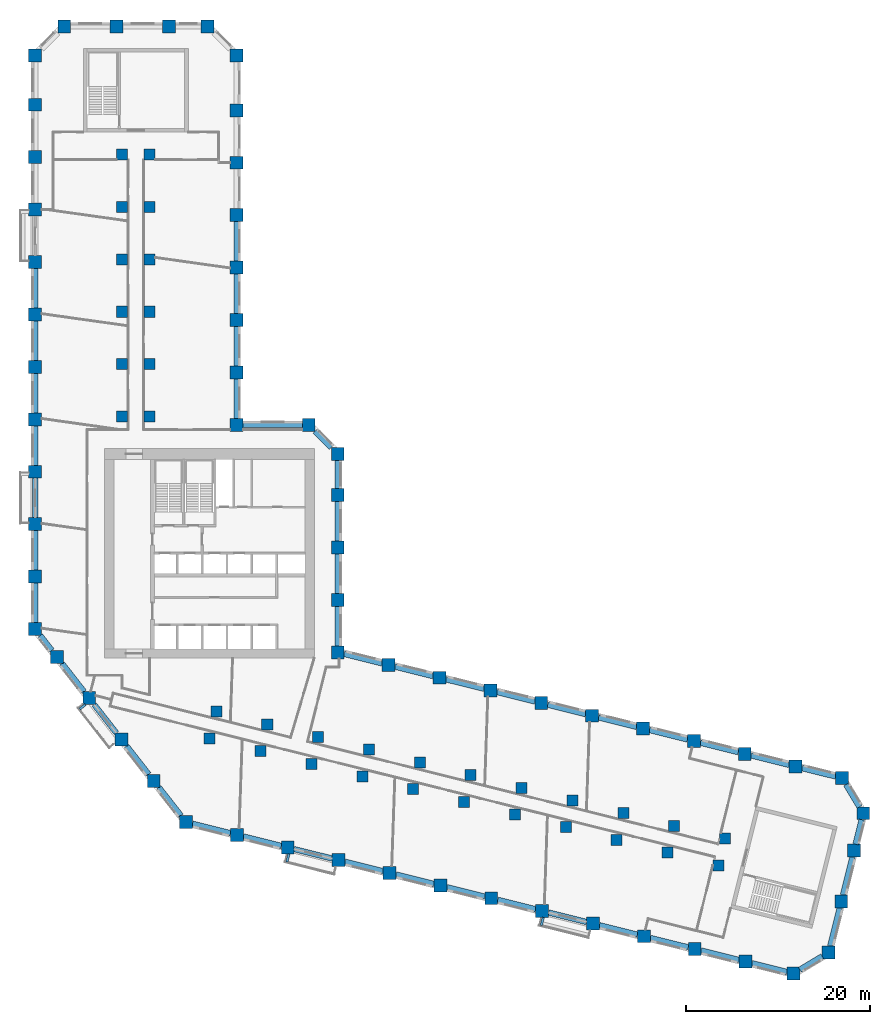
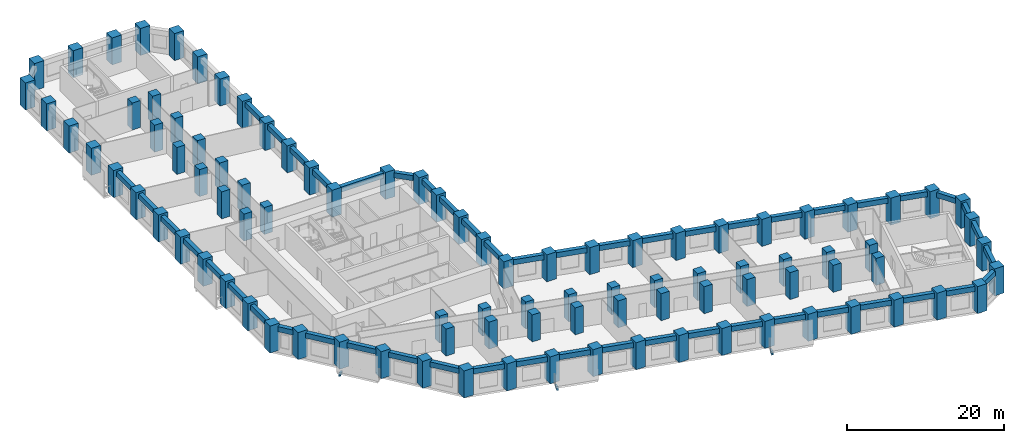
# One storey, part 1 of 11: 95 columns, 52 beams.
"""IFC4 building model written with IfcOpenShell, lengths in metres."""

from ifc_helpers import new_model, si_unit, direction, frame, origin, origin_2d, place, context, subcontext, project, spatial, rectangle, extrude, material, material_profile, profile_set, type_object, element, save


model = new_model("IFC4")

# Units and contexts
model_context = context("Model", 3, precision=1e-05, world=origin(), true_north=direction((0.0, 1.0)))
body_context = subcontext(model_context, "Body", "Model", "MODEL_VIEW")
ifc_project = project(units=[si_unit("LENGTHUNIT", "METRE"), si_unit("AREAUNIT", "SQUARE_METRE"), si_unit("VOLUMEUNIT", "CUBIC_METRE"), si_unit("PLANEANGLEUNIT", "RADIAN"), si_unit("MASSUNIT", "GRAM", prefix="KILO")], contexts=[model_context])

# Site, building, storey
site_placement = place(None, origin())
site = spatial("IfcSite", under=ifc_project, at=site_placement, CompositionType="ELEMENT")
building_placement = place(site_placement, origin())
building = spatial("IfcBuilding", under=site, at=building_placement, Name="Meshkara Civic Tower", CompositionType="ELEMENT")
storey_placement = place(building_placement, frame((0.0, 0.0, 70.800048828125)))
storey = spatial("IfcBuildingStorey", under=building, at=storey_placement, Name="L15", CompositionType="ELEMENT", Elevation=70.800048828125)

# Columns
ifc_material_1 = material(Name="Concrete C80", Category="concrete")
ifc_material_profile_1 = material_profile(ifc_material_1, rectangle(XDim=1.199951171875, YDim=1.199951171875, at=origin_2d()))
ifc_profile_set_1 = profile_set([ifc_material_profile_1], Name="Concrete C80")
column_type_1 = type_object("IfcColumnType", Name="Interior column RC 1200x1200 C80", PredefinedType="COLUMN", material=ifc_profile_set_1)
for number, where, z_axis, x_axis, name in (
    (1, (9.89990234375, 40.35009765625, 0.0), (0.0, 0.0, 1.0), (1.0, 0.0, 0.0), "Column SA1-04 L15"),
    (2, (9.89990234375, 46.050048828125, 0.0), (0.0, 0.0, 1.0), (1.0, 0.0, 0.0), "Column SA1-05 L15"),
    (3, (9.89990234375, 51.75, 0.0), (0.0, 0.0, 1.0), (1.0, 0.0, 0.0), "Column SA1-06 L15"),
    (4, (9.89990234375, 57.449951171875, 0.0), (0.0, 0.0, 1.0), (1.0, 0.0, 0.0), "Column SA1-07 L15"),
    (5, (9.89990234375, 63.14990234375, 0.0), (0.0, 0.0, 1.0), (1.0, 0.0, 0.0), "Column SA1-08 L15"),
    (6, (9.89990234375, 68.85009765625, 0.0), (0.0, 0.0, 1.0), (1.0, 0.0, 0.0), "Column SA1-09 L15"),
    (7, (12.89990234375, 40.35009765625, 0.0), (0.0, 0.0, 1.0), (1.0, 0.0, 0.0), "Column SA2-04 L15"),
    (8, (12.89990234375, 46.050048828125, 0.0), (0.0, 0.0, 1.0), (1.0, 0.0, 0.0), "Column SA2-05 L15"),
    (9, (12.89990234375, 51.75, 0.0), (0.0, 0.0, 1.0), (1.0, 0.0, 0.0), "Column SA2-06 L15"),
    (10, (12.89990234375, 57.449951171875, 0.0), (0.0, 0.0, 1.0), (1.0, 0.0, 0.0), "Column SA2-07 L15"),
    (11, (12.89990234375, 63.14990234375, 0.0), (0.0, 0.0, 1.0), (1.0, 0.0, 0.0), "Column SA2-08 L15"),
    (12, (12.89990234375, 68.85009765625, 0.0), (0.0, 0.0, 1.0), (1.0, 0.0, 0.0), "Column SA2-09 L15"),
    (13, (19.424072265625, 5.360107421875, 0.0), (0.0, 0.0, 1.0), (1.0, 0.0, 0.0), "Column SB1-00 L15"),
    (14, (24.9541015625, 3.98095703125, 0.0), (0.0, 0.0, 1.0), (1.0, 0.0, 0.0), "Column SB1-01 L15"),
    (15, (30.485107421875, 2.60205078125, 0.0), (0.0, 0.0, 1.0), (1.0, 0.0, 0.0), "Column SB1-02 L15"),
    (16, (36.01611328125, 1.222900390625, 0.0), (0.0, 0.0, 1.0), (1.0, 0.0, 0.0), "Column SB1-03 L15"),
    (17, (41.5458984375, -0.156005859375, 0.0), (0.0, 0.0, 1.0), (1.0, 0.0, 0.0), "Column SB1-04 L15"),
    (18, (47.076904296875, -1.534912109375, 0.0), (0.0, 0.0, 1.0), (1.0, 0.0, 0.0), "Column SB1-05 L15"),
    (19, (52.60791015625, -2.9140625, 0.0), (0.0, 0.0, 1.0), (1.0, 0.0, 0.0), "Column SB1-06 L15"),
    (20, (58.138916015625, -4.2919921875, 0.0), (0.0, 0.0, 1.0), (1.0, 0.0, 0.0), "Column SB1-07 L15"),
    (21, (63.6689453125, -5.6708984375, 0.0), (0.0, 0.0, 1.0), (1.0, 0.0, 0.0), "Column SB1-08 L15"),
    (22, (69.199951171875, -7.050048828125, 0.0), (0.0, 0.0, 1.0), (1.0, 0.0, 0.0), "Column SB1-09 L15"),
    (23, (74.73095703125, -8.428955078125, 0.0), (0.0, 0.0, 1.0), (1.0, 0.0, 0.0), "Column SB1-10 L15"),
    (24, (20.14892578125, 8.27099609375, 0.0), (0.0, 0.0, 1.0), (1.0, 0.0, 0.0), "Column SB2-00 L15"),
    (25, (25.679931640625, 6.89208984375, 0.0), (0.0, 0.0, 1.0), (1.0, 0.0, 0.0), "Column SB2-01 L15"),
    (26, (31.2109375, 5.512939453125, 0.0), (0.0, 0.0, 1.0), (1.0, 0.0, 0.0), "Column SB2-02 L15"),
    (27, (36.741943359375, 4.134033203125, 0.0), (0.0, 0.0, 1.0), (1.0, 0.0, 0.0), "Column SB2-03 L15"),
    (28, (42.27197265625, 2.7548828125, 0.0), (0.0, 0.0, 1.0), (1.0, 0.0, 0.0), "Column SB2-04 L15"),
    (29, (47.802978515625, 1.3759765625, 0.0), (0.0, 0.0, 1.0), (1.0, 0.0, 0.0), "Column SB2-05 L15"),
    (30, (53.333984375, -0.0029296875, 0.0), (0.0, 0.0, 1.0), (1.0, 0.0, 0.0), "Column SB2-06 L15"),
    (31, (58.864013671875, -1.382080078125, 0.0), (0.0, 0.0, 1.0), (1.0, 0.0, 0.0), "Column SB2-07 L15"),
    (32, (64.39501953125, -2.760986328125, 0.0), (0.0, 0.0, 1.0), (1.0, 0.0, 0.0), "Column SB2-08 L15"),
    (33, (69.926025390625, -4.139892578125, 0.0), (0.0, 0.0, 1.0), (1.0, 0.0, 0.0), "Column SB2-09 L15"),
    (34, (75.4560546875, -5.51806640625, 0.0), (0.0, 0.0, 1.0), (1.0, 0.0, 0.0), "Column SB2-10 L15"),
):
    element("IfcColumn", number, at=place(storey_placement, frame(where, z_axis=z_axis, x_axis=x_axis)), inside=storey, type_object=column_type_1, Name=name, PredefinedType="COLUMN", context=body_context, shape_type="SweptSolid", body=[
        extrude(rectangle(XDim=1.199951171875, YDim=1.199951171875, at=origin_2d()), origin(), (0.0, 0.0, 1.0), 4.199951171875),
    ])
ifc_material_2 = material(Name="Concrete C80", Category="concrete")
ifc_material_profile_2 = material_profile(ifc_material_2, rectangle(XDim=1.39990234375, YDim=1.39990234375, at=origin_2d()))
ifc_profile_set_2 = profile_set([ifc_material_profile_2], Name="Concrete C80")
column_type_2 = type_object("IfcColumnType", Name="Perimeter column RC 1400x1400 C80", PredefinedType="COLUMN", material=ifc_profile_set_2)
for number, where, z_axis, x_axis, name in (
    (35, (33.35009765625, 14.718994140625, 0.0), (0.0, 0.0, 1.0), (1.0, 0.0, 0.0), "Column HE00 L15"),
    (36, (33.35009765625, 20.4189453125, 0.0), (0.0, 0.0, 1.0), (1.0, 0.0, 0.0), "Column HE01 L15"),
    (37, (33.35009765625, 26.118896484375, 0.0), (0.0, 0.0, 1.0), (1.0, 0.0, 0.0), "Column HE02 L15"),
    (38, (33.35009765625, 31.819091796875, 0.0), (0.0, 0.0, 1.0), (1.0, 0.0, 0.0), "Column HE03 L15"),
    (39, (33.35009765625, 36.2939453125, 0.0), (0.0, 0.0, 1.0), (1.0, 0.0, 0.0), "Column HEE L15"),
    (40, (30.194091796875, 39.449951171875, 0.0), (0.0, 0.0, 1.0), (1.0, 0.0, 0.0), "Column HCeE L15"),
    (41, (22.35009765625, 39.449951171875, 0.0), (0.0, 0.0, 1.0), (1.0, 0.0, 0.0), "Column HN00 L15"),
    (42, (22.35009765625, 45.14990234375, 0.0), (0.0, 0.0, 1.0), (1.0, 0.0, 0.0), "Column AE01 L15"),
    (43, (22.35009765625, 50.85009765625, 0.0), (0.0, 0.0, 1.0), (1.0, 0.0, 0.0), "Column AE02 L15"),
    (44, (22.35009765625, 56.550048828125, 0.0), (0.0, 0.0, 1.0), (1.0, 0.0, 0.0), "Column AE03 L15"),
    (45, (22.35009765625, 62.25, 0.0), (0.0, 0.0, 1.0), (1.0, 0.0, 0.0), "Column AE04 L15"),
    (46, (22.35009765625, 67.949951171875, 0.0), (0.0, 0.0, 1.0), (1.0, 0.0, 0.0), "Column AE05 L15"),
    (47, (22.35009765625, 73.64990234375, 0.0), (0.0, 0.0, 1.0), (1.0, 0.0, 0.0), "Column AE06 L15"),
    (48, (22.35009765625, 79.614013671875, 0.0), (0.0, 0.0, 1.0), (1.0, 0.0, 0.0), "Column AEE L15"),
    (49, (19.194091796875, 82.77001953125, 0.0), (0.0, 0.0, 1.0), (1.0, 0.0, 0.0), "Column ATiE L15"),
    (50, (3.60595703125, 82.77001953125, 0.0), (0.0, 0.0, 1.0), (1.0, 0.0, 0.0), "Column AT00 L15"),
    (51, (9.305908203125, 82.77001953125, 0.0), (0.0, 0.0, 1.0), (1.0, 0.0, 0.0), "Column AT01 L15"),
    (52, (15.006103515625, 82.77001953125, 0.0), (0.0, 0.0, 1.0), (1.0, 0.0, 0.0), "Column AT02 L15"),
    (53, (0.449951171875, 79.614013671875, 0.0), (0.0, 0.0, 1.0), (1.0, 0.0, 0.0), "Column ATo00 L15"),
    (54, (0.449951171875, 17.2548828125, 0.0), (0.0, 0.0, 1.0), (1.0, 0.0, 0.0), "Column AW00 L15"),
    (55, (0.449951171875, 22.955078125, 0.0), (0.0, 0.0, 1.0), (1.0, 0.0, 0.0), "Column AW01 L15"),
    (56, (0.449951171875, 28.655029296875, 0.0), (0.0, 0.0, 1.0), (1.0, 0.0, 0.0), "Column AW02 L15"),
    (57, (0.449951171875, 34.35498046875, 0.0), (0.0, 0.0, 1.0), (1.0, 0.0, 0.0), "Column AW03 L15"),
    (58, (0.449951171875, 40.054931640625, 0.0), (0.0, 0.0, 1.0), (1.0, 0.0, 0.0), "Column AW04 L15"),
    (59, (0.449951171875, 45.7548828125, 0.0), (0.0, 0.0, 1.0), (1.0, 0.0, 0.0), "Column AW05 L15"),
    (60, (0.449951171875, 51.455078125, 0.0), (0.0, 0.0, 1.0), (1.0, 0.0, 0.0), "Column AW06 L15"),
    (61, (0.449951171875, 57.155029296875, 0.0), (0.0, 0.0, 1.0), (1.0, 0.0, 0.0), "Column AW07 L15"),
    (62, (0.449951171875, 62.85498046875, 0.0), (0.0, 0.0, 1.0), (1.0, 0.0, 0.0), "Column AW08 L15"),
    (63, (0.449951171875, 68.554931640625, 0.0), (0.0, 0.0, 1.0), (1.0, 0.0, 0.0), "Column AW09 L15"),
    (64, (0.449951171875, 74.2548828125, 0.0), (0.0, 0.0, 1.0), (1.0, 0.0, 0.0), "Column AW10 L15"),
    (65, (16.85107421875, -3.738037109375, 0.0), (0.0, 0.0, 1.0), (1.0, 0.0, 0.0), "Column BOW00 L15"),
    (66, (13.342041015625, 0.75390625, 0.0), (0.0, 0.0, 1.0), (1.0, 0.0, 0.0), "Column BOW01 L15"),
    (67, (9.8330078125, 5.2451171875, 0.0), (0.0, 0.0, 1.0), (1.0, 0.0, 0.0), "Column BOW02 L15"),
    (68, (6.322998046875, 9.737060546875, 0.0), (0.0, 0.0, 1.0), (1.0, 0.0, 0.0), "Column BOW03 L15"),
    (69, (2.81396484375, 14.22900390625, 0.0), (0.0, 0.0, 1.0), (1.0, 0.0, 0.0), "Column BOW04 L15"),
    (70, (22.382080078125, -5.116943359375, 0.0), (0.0, 0.0, 1.0), (1.0, 0.0, 0.0), "Column BS01 L15"),
    (71, (27.912109375, -6.49609375, 0.0), (0.0, 0.0, 1.0), (1.0, 0.0, 0.0), "Column BS02 L15"),
    (72, (33.443115234375, -7.875, 0.0), (0.0, 0.0, 1.0), (1.0, 0.0, 0.0), "Column BS03 L15"),
    (73, (38.97412109375, -9.25390625, 0.0), (0.0, 0.0, 1.0), (1.0, 0.0, 0.0), "Column BS04 L15"),
    (74, (44.5048828125, -10.632080078125, 0.0), (0.0, 0.0, 1.0), (1.0, 0.0, 0.0), "Column BS05 L15"),
    (75, (50.034912109375, -12.010986328125, 0.0), (0.0, 0.0, 1.0), (1.0, 0.0, 0.0), "Column BS06 L15"),
    (76, (55.56591796875, -13.389892578125, 0.0), (0.0, 0.0, 1.0), (1.0, 0.0, 0.0), "Column BS07 L15"),
    (77, (61.096923828125, -14.76904296875, 0.0), (0.0, 0.0, 1.0), (1.0, 0.0, 0.0), "Column BS08 L15"),
    (78, (66.626953125, -16.14794921875, 0.0), (0.0, 0.0, 1.0), (1.0, 0.0, 0.0), "Column BS09 L15"),
    (79, (72.157958984375, -17.527099609375, 0.0), (0.0, 0.0, 1.0), (1.0, 0.0, 0.0), "Column BS10 L15"),
    (80, (77.68896484375, -18.906005859375, 0.0), (0.0, 0.0, 1.0), (1.0, 0.0, 0.0), "Column BS11 L15"),
    (81, (82.887939453125, -20.201904296875, 0.0), (0.0, 0.0, 1.0), (1.0, 0.0, 0.0), "Column BSE L15"),
    (82, (86.714111328125, -17.903076171875, 0.0), (0.0, 0.0, 1.0), (1.0, 0.0, 0.0), "Column BToE L15"),
    (83, (88.093017578125, -12.3720703125, 0.0), (0.0, 0.0, 1.0), (1.0, 0.0, 0.0), "Column BT01 L15"),
    (84, (89.471923828125, -6.842041015625, 0.0), (0.0, 0.0, 1.0), (1.0, 0.0, 0.0), "Column BT02 L15"),
    (85, (90.485107421875, -2.779052734375, 0.0), (0.0, 0.0, 1.0), (1.0, 0.0, 0.0), "Column BTE L15"),
    (86, (88.18603515625, 1.0458984375, 0.0), (0.0, 0.0, 1.0), (1.0, 0.0, 0.0), "Column BTi00 L15"),
    (87, (38.881103515625, 13.340087890625, 0.0), (0.0, 0.0, 1.0), (1.0, 0.0, 0.0), "Column BN01 L15"),
    (88, (44.410888671875, 11.9609375, 0.0), (0.0, 0.0, 1.0), (1.0, 0.0, 0.0), "Column BN02 L15"),
    (89, (49.94189453125, 10.58203125, 0.0), (0.0, 0.0, 1.0), (1.0, 0.0, 0.0), "Column BN03 L15"),
    (90, (55.472900390625, 9.202880859375, 0.0), (0.0, 0.0, 1.0), (1.0, 0.0, 0.0), "Column BN04 L15"),
    (91, (61.0029296875, 7.823974609375, 0.0), (0.0, 0.0, 1.0), (1.0, 0.0, 0.0), "Column BN05 L15"),
    (92, (66.533935546875, 6.445068359375, 0.0), (0.0, 0.0, 1.0), (1.0, 0.0, 0.0), "Column BN06 L15"),
    (93, (72.06494140625, 5.06591796875, 0.0), (0.0, 0.0, 1.0), (1.0, 0.0, 0.0), "Column BN07 L15"),
    (94, (77.594970703125, 3.68701171875, 0.0), (0.0, 0.0, 1.0), (1.0, 0.0, 0.0), "Column BN08 L15"),
    (95, (83.1259765625, 2.30810546875, 0.0), (0.0, 0.0, 1.0), (1.0, 0.0, 0.0), "Column BN09 L15"),
):
    element("IfcColumn", number, at=place(storey_placement, frame(where, z_axis=z_axis, x_axis=x_axis)), inside=storey, type_object=column_type_2, Name=name, PredefinedType="COLUMN", context=body_context, shape_type="SweptSolid", body=[
        extrude(rectangle(XDim=1.39990234375, YDim=1.39990234375, at=origin_2d()), origin(), (0.0, 0.0, 1.0), 4.199951171875),
    ])

# Beams
ifc_material_3 = material(Name="Concrete C50", Category="concrete")
ifc_material_profile_3 = material_profile(ifc_material_3, rectangle(XDim=0.25, YDim=0.39990234375, at=origin_2d()))
ifc_profile_set_3 = profile_set([ifc_material_profile_3], Name="Concrete C50")
beam_type_1 = type_object("IfcBeamType", Name="Balcony bracket beam RC 250x400 C50", PredefinedType="BEAM", material=ifc_profile_set_3)
beam_1_placement = place(storey_placement, frame((5.91796875, 9.0400390625, -0.5), z_axis=(-0.787987386411, -0.615691382803, 0.0), x_axis=(0.615691382803, -0.787987386411, 0.0)))
element("IfcBeam", 96, at=beam_1_placement, inside=storey, type_object=beam_type_1, Name="Balcony bracket beam", PredefinedType="BEAM", context=body_context, shape_type="SweptSolid", body=[
    extrude(rectangle(XDim=0.25, YDim=0.39990234375, at=origin_2d()), origin(), (0.0, 0.0, 1.0), 0.800537109375),
])
beam_2_placement = place(storey_placement, frame((28.048095703125, -7.19091796875, -0.5), z_axis=(-0.242472373608, -0.970158310812, 0.0), x_axis=(0.970158310812, -0.242472373608, 0.0)))
element("IfcBeam", 97, at=beam_2_placement, inside=storey, type_object=beam_type_1, Name="Balcony bracket beam", PredefinedType="BEAM", context=body_context, shape_type="SweptSolid", body=[
    extrude(rectangle(XDim=0.25, YDim=0.39990234375, at=origin_2d()), origin(), (0.0, 0.0, 1.0), 0.908203125),
])
beam_3_placement = place(storey_placement, frame((55.701904296875, -14.0849609375, -0.5), z_axis=(-0.241966881417, -0.970284508944, 0.0), x_axis=(0.970284508944, -0.241966881417, 0.0)))
element("IfcBeam", 98, at=beam_3_placement, inside=storey, type_object=beam_type_1, Name="Balcony bracket beam", PredefinedType="BEAM", context=body_context, shape_type="SweptSolid", body=[
    extrude(rectangle(XDim=0.25, YDim=0.39990234375, at=origin_2d()), origin(), (0.0, 0.0, 1.0), 0.9091796875),
])
ifc_material_4 = material(Name="Concrete C70", Category="concrete")
ifc_material_profile_4 = material_profile(ifc_material_4, rectangle(XDim=0.60009765625, YDim=0.800048828125, at=origin_2d()))
ifc_profile_set_4 = profile_set([ifc_material_profile_4], Name="Concrete C70")
beam_type_2 = type_object("IfcBeamType", Name="Spandrel beam RC 600x800 C70", PredefinedType="BEAM", material=ifc_profile_set_4)
beam_4_placement = place(storey_placement, frame((82.430908203125, 2.481201171875, 3.5), z_axis=(-0.97029374225, 0.241929852955, 0.0), x_axis=(-0.241929852955, -0.97029374225, 0.0)))
element("IfcBeam", 99, at=beam_4_placement, inside=storey, type_object=beam_type_2, Name="Spandrel beam BN08-BN09", PredefinedType="BEAM", context=body_context, shape_type="SweptSolid", body=[
    extrude(rectangle(XDim=0.60009765625, YDim=0.800048828125, at=origin_2d()), origin(), (0.0, 0.0, 1.0), 4.267578125),
])
beam_5_placement = place(storey_placement, frame((76.89990234375, 3.8603515625, 3.5), z_axis=(-0.970293777887, 0.241929710026, 0.0), x_axis=(-0.241929710026, -0.970293777887, 0.0)))
element("IfcBeam", 100, at=beam_5_placement, inside=storey, type_object=beam_type_2, Name="Spandrel beam BN07-BN08", PredefinedType="BEAM", context=body_context, shape_type="SweptSolid", body=[
    extrude(rectangle(XDim=0.60009765625, YDim=0.800048828125, at=origin_2d()), origin(), (0.0, 0.0, 1.0), 4.2666015625),
])
for number, where, z_axis, x_axis, name in (
    (101, (71.369873046875, 5.2392578125, 3.5), (-0.97029374225, 0.241929852955, 0.0), (-0.241929852955, -0.97029374225, 0.0), "Spandrel beam BN06-BN07"),
    (102, (65.8388671875, 6.618408203125, 3.5), (-0.970307169965, 0.241875992843, 0.0), (-0.241875992843, -0.970307169965, 0.0), "Spandrel beam BN05-BN06"),
):
    element("IfcBeam", number, at=place(storey_placement, frame(where, z_axis=z_axis, x_axis=x_axis)), inside=storey, type_object=beam_type_2, Name=name, PredefinedType="BEAM", context=body_context, shape_type="SweptSolid", body=[
        extrude(rectangle(XDim=0.60009765625, YDim=0.800048828125, at=origin_2d()), origin(), (0.0, 0.0, 1.0), 4.267578125),
    ])
beam_6_placement = place(storey_placement, frame((60.307861328125, 7.997314453125, 3.5), z_axis=(-0.970276993533, 0.241997016139, 0.0), x_axis=(-0.241997016139, -0.970276993533, 0.0)))
element("IfcBeam", 103, at=beam_6_placement, inside=storey, type_object=beam_type_2, Name="Spandrel beam BN04-BN05", PredefinedType="BEAM", context=body_context, shape_type="SweptSolid", body=[
    extrude(rectangle(XDim=0.60009765625, YDim=0.800048828125, at=origin_2d()), origin(), (0.0, 0.0, 1.0), 4.266357421875),
])
for number, where, z_axis, x_axis, name in (
    (104, (54.77783203125, 9.376220703125, 3.5), (-0.970290393622, 0.241943282702, 0.0), (-0.241943282702, -0.970290393622, 0.0), "Spandrel beam BN03-BN04"),
    (105, (49.246826171875, 10.75537109375, 3.5), (-0.970303822782, 0.241889419972, 0.0), (-0.241889419972, -0.970303822782, 0.0), "Spandrel beam BN02-BN03"),
):
    element("IfcBeam", number, at=place(storey_placement, frame(where, z_axis=z_axis, x_axis=x_axis)), inside=storey, type_object=beam_type_2, Name=name, PredefinedType="BEAM", context=body_context, shape_type="SweptSolid", body=[
        extrude(rectangle(XDim=0.60009765625, YDim=0.800048828125, at=origin_2d()), origin(), (0.0, 0.0, 1.0), 4.267333984375),
    ])
beam_7_placement = place(storey_placement, frame((43.7158203125, 12.13427734375, 3.5), z_axis=(-0.970276993533, 0.241997016139, 0.0), x_axis=(-0.241997016139, -0.970276993533, 0.0)))
element("IfcBeam", 106, at=beam_7_placement, inside=storey, type_object=beam_type_2, Name="Spandrel beam BN01-BN02", PredefinedType="BEAM", context=body_context, shape_type="SweptSolid", body=[
    extrude(rectangle(XDim=0.60009765625, YDim=0.800048828125, at=origin_2d()), origin(), (0.0, 0.0, 1.0), 4.266357421875),
])
beam_8_placement = place(storey_placement, frame((38.185791015625, 13.51318359375, 3.5), z_axis=(-0.970290393622, 0.241943282702, 0.0), x_axis=(-0.241943282702, -0.970290393622, 0.0)))
element("IfcBeam", 107, at=beam_8_placement, inside=storey, type_object=beam_type_2, Name="Spandrel beam BN01-HE00", PredefinedType="BEAM", context=body_context, shape_type="SweptSolid", body=[
    extrude(rectangle(XDim=0.60009765625, YDim=0.800048828125, at=origin_2d()), origin(), (0.0, 0.0, 1.0), 4.267333984375),
])
for number, where, z_axis, x_axis, name in (
    (108, (33.35009765625, 15.4140625, 3.5), (0.0, 1.0, 0.0), (-1.0, 0.0, 0.0), "Spandrel beam HE00-HE01"),
    (109, (33.35009765625, 21.114013671875, 3.5), (0.0, 1.0, 0.0), (-1.0, 0.0, 0.0), "Spandrel beam HE01-HE02"),
    (110, (33.35009765625, 26.81396484375, 3.5), (0.0, 1.0, 0.0), (-1.0, 0.0, 0.0), "Spandrel beam HE02-HE03"),
):
    element("IfcBeam", number, at=place(storey_placement, frame(where, z_axis=z_axis, x_axis=x_axis)), inside=storey, type_object=beam_type_2, Name=name, PredefinedType="BEAM", context=body_context, shape_type="SweptSolid", body=[
        extrude(rectangle(XDim=0.60009765625, YDim=0.800048828125, at=origin_2d()), origin(), (0.0, 0.0, 1.0), 4.31005859375),
    ])
beam_9_placement = place(storey_placement, frame((33.35009765625, 32.513916015625, 3.5), z_axis=(0.0, 1.0, 0.0), x_axis=(-1.0, 0.0, 0.0)))
element("IfcBeam", 111, at=beam_9_placement, inside=storey, type_object=beam_type_2, Name="Spandrel beam HE03-HEE", PredefinedType="BEAM", context=body_context, shape_type="SweptSolid", body=[
    extrude(rectangle(XDim=0.60009765625, YDim=0.800048828125, at=origin_2d()), origin(), (0.0, 0.0, 1.0), 3.085205078125),
])
beam_10_placement = place(storey_placement, frame((32.653564453125, 36.990478515625, 3.5), z_axis=(-0.707155737934, 0.70705782105, 0.0), x_axis=(-0.70705782105, -0.707155737934, 0.0)))
element("IfcBeam", 112, at=beam_10_placement, inside=storey, type_object=beam_type_2, Name="Spandrel beam HCeE-HEE", PredefinedType="BEAM", context=body_context, shape_type="SweptSolid", body=[
    extrude(rectangle(XDim=0.60009765625, YDim=0.800048828125, at=origin_2d()), origin(), (0.0, 0.0, 1.0), 2.493408203125),
])
beam_11_placement = place(storey_placement, frame((29.4990234375, 39.449951171875, 3.5), z_axis=(-1.0, 0.0, 0.0), x_axis=(0.0, -1.0, 0.0)))
element("IfcBeam", 113, at=beam_11_placement, inside=storey, type_object=beam_type_2, Name="Spandrel beam HCeE-HN00", PredefinedType="BEAM", context=body_context, shape_type="SweptSolid", body=[
    extrude(rectangle(XDim=0.60009765625, YDim=0.800048828125, at=origin_2d()), origin(), (0.0, 0.0, 1.0), 6.4541015625),
])
for number, where, z_axis, x_axis, name in (
    (114, (22.35009765625, 40.14501953125, 3.5), (0.0, 1.0, 0.0), (-1.0, 0.0, 0.0), "Spandrel beam AE01-HN00"),
    (115, (22.35009765625, 45.844970703125, 3.5), (0.0, 1.0, 0.0), (-1.0, 0.0, 0.0), "Spandrel beam AE01-AE02"),
    (116, (22.35009765625, 51.544921875, 3.5), (0.0, 1.0, 0.0), (-1.0, 0.0, 0.0), "Spandrel beam AE02-AE03"),
):
    element("IfcBeam", number, at=place(storey_placement, frame(where, z_axis=z_axis, x_axis=x_axis)), inside=storey, type_object=beam_type_2, Name=name, PredefinedType="BEAM", context=body_context, shape_type="SweptSolid", body=[
        extrude(rectangle(XDim=0.60009765625, YDim=0.800048828125, at=origin_2d()), origin(), (0.0, 0.0, 1.0), 4.31005859375),
    ])
beam_12_placement = place(storey_placement, frame((22.35009765625, 57.2451171875, 3.5), z_axis=(0.0, 1.0, 0.0), x_axis=(-1.0, 0.0, 0.0)))
element("IfcBeam", 117, at=beam_12_placement, inside=storey, type_object=beam_type_2, Name="Spandrel beam AE03-AE04", PredefinedType="BEAM", context=body_context, shape_type="SweptSolid", body=[
    extrude(rectangle(XDim=0.60009765625, YDim=0.800048828125, at=origin_2d()), origin(), (0.0, 0.0, 1.0), 4.309814453125),
])
for number, where, z_axis, x_axis, name in (
    (118, (0.449951171875, 56.4599609375, 3.5), (0.0, -1.0, 0.0), (1.0, 0.0, 0.0), "Spandrel beam AW06-AW07"),
    (119, (0.449951171875, 50.760009765625, 3.5), (0.0, -1.0, 0.0), (1.0, 0.0, 0.0), "Spandrel beam AW05-AW06"),
    (120, (0.449951171875, 45.06005859375, 3.5), (0.0, -1.0, 0.0), (1.0, 0.0, 0.0), "Spandrel beam AW04-AW05"),
    (121, (0.449951171875, 39.360107421875, 3.5), (0.0, -1.0, 0.0), (1.0, 0.0, 0.0), "Spandrel beam AW03-AW04"),
):
    element("IfcBeam", number, at=place(storey_placement, frame(where, z_axis=z_axis, x_axis=x_axis)), inside=storey, type_object=beam_type_2, Name=name, PredefinedType="BEAM", context=body_context, shape_type="SweptSolid", body=[
        extrude(rectangle(XDim=0.60009765625, YDim=0.800048828125, at=origin_2d()), origin(), (0.0, 0.0, 1.0), 4.31005859375),
    ])
beam_13_placement = place(storey_placement, frame((0.449951171875, 33.659912109375, 3.5), z_axis=(0.0, -1.0, 0.0), x_axis=(1.0, 0.0, 0.0)))
element("IfcBeam", 122, at=beam_13_placement, inside=storey, type_object=beam_type_2, Name="Spandrel beam AW02-AW03", PredefinedType="BEAM", context=body_context, shape_type="SweptSolid", body=[
    extrude(rectangle(XDim=0.60009765625, YDim=0.800048828125, at=origin_2d()), origin(), (0.0, 0.0, 1.0), 4.309814453125),
])
for number, where, z_axis, x_axis, name in (
    (123, (0.449951171875, 27.9599609375, 3.5), (0.0, -1.0, 0.0), (1.0, 0.0, 0.0), "Spandrel beam AW01-AW02"),
    (124, (0.449951171875, 22.260009765625, 3.5), (0.0, -1.0, 0.0), (1.0, 0.0, 0.0), "Spandrel beam AW00-AW01"),
):
    element("IfcBeam", number, at=place(storey_placement, frame(where, z_axis=z_axis, x_axis=x_axis)), inside=storey, type_object=beam_type_2, Name=name, PredefinedType="BEAM", context=body_context, shape_type="SweptSolid", body=[
        extrude(rectangle(XDim=0.60009765625, YDim=0.800048828125, at=origin_2d()), origin(), (0.0, 0.0, 1.0), 4.31005859375),
    ])
beam_14_placement = place(storey_placement, frame((0.993896484375, 16.558837890625, 3.5), z_axis=(0.615634901283, -0.788031514803, 0.0), x_axis=(0.788031514803, 0.615634901283, 0.0)))
element("IfcBeam", 125, at=beam_14_placement, inside=storey, type_object=beam_type_2, Name="Spandrel beam AW00-BOW04", PredefinedType="BEAM", context=body_context, shape_type="SweptSolid", body=[
    extrude(rectangle(XDim=0.60009765625, YDim=0.800048828125, at=origin_2d()), origin(), (0.0, 0.0, 1.0), 2.0732421875),
])
beam_15_placement = place(storey_placement, frame((3.357666015625, 13.532958984375, 3.5), z_axis=(0.615623566685, -0.788040369614, 0.0), x_axis=(0.788040369614, 0.615623566685, 0.0)))
element("IfcBeam", 126, at=beam_15_placement, inside=storey, type_object=beam_type_2, Name="Spandrel beam BOW03-BOW04", PredefinedType="BEAM", context=body_context, shape_type="SweptSolid", body=[
    extrude(rectangle(XDim=0.60009765625, YDim=0.800048828125, at=origin_2d()), origin(), (0.0, 0.0, 1.0), 3.93359375),
])
beam_16_placement = place(storey_placement, frame((6.866943359375, 9.041015625, 3.5), z_axis=(0.61570064363, -0.787980150406, 0.0), x_axis=(0.787980150406, 0.61570064363, 0.0)))
element("IfcBeam", 127, at=beam_16_placement, inside=storey, type_object=beam_type_2, Name="Spandrel beam BOW02-BOW03", PredefinedType="BEAM", context=body_context, shape_type="SweptSolid", body=[
    extrude(rectangle(XDim=0.60009765625, YDim=0.800048828125, at=origin_2d()), origin(), (0.0, 0.0, 1.0), 3.933837890625),
])
beam_17_placement = place(storey_placement, frame((10.376953125, 4.548828125, 3.5), z_axis=(0.615697051917, -0.787982956834, 0.0), x_axis=(0.787982956834, 0.615697051917, 0.0)))
element("IfcBeam", 128, at=beam_17_placement, inside=storey, type_object=beam_type_2, Name="Spandrel beam BOW01-BOW02", PredefinedType="BEAM", context=body_context, shape_type="SweptSolid", body=[
    extrude(rectangle(XDim=0.60009765625, YDim=0.800048828125, at=origin_2d()), origin(), (0.0, 0.0, 1.0), 3.932373046875),
])
beam_18_placement = place(storey_placement, frame((13.8857421875, 0.057861328125, 3.5), z_axis=(0.615623566685, -0.788040369614, 0.0), x_axis=(0.788040369614, 0.615623566685, 0.0)))
element("IfcBeam", 129, at=beam_18_placement, inside=storey, type_object=beam_type_2, Name="Spandrel beam BOW00-BOW01", PredefinedType="BEAM", context=body_context, shape_type="SweptSolid", body=[
    extrude(rectangle(XDim=0.60009765625, YDim=0.800048828125, at=origin_2d()), origin(), (0.0, 0.0, 1.0), 3.93359375),
])
beam_19_placement = place(storey_placement, frame((17.546142578125, -3.911376953125, 3.5), z_axis=(0.970307169965, -0.241875992843, 0.0), x_axis=(0.241875992843, 0.970307169965, 0.0)))
element("IfcBeam", 130, at=beam_19_placement, inside=storey, type_object=beam_type_2, Name="Spandrel beam BOW00-BS01", PredefinedType="BEAM", context=body_context, shape_type="SweptSolid", body=[
    extrude(rectangle(XDim=0.60009765625, YDim=0.800048828125, at=origin_2d()), origin(), (0.0, 0.0, 1.0), 4.267578125),
])
beam_20_placement = place(storey_placement, frame((23.0771484375, -5.290283203125, 3.5), z_axis=(0.970276993533, -0.241997016139, 0.0), x_axis=(0.241997016139, 0.970276993533, 0.0)))
element("IfcBeam", 131, at=beam_20_placement, inside=storey, type_object=beam_type_2, Name="Spandrel beam BS01-BS02", PredefinedType="BEAM", context=body_context, shape_type="SweptSolid", body=[
    extrude(rectangle(XDim=0.60009765625, YDim=0.800048828125, at=origin_2d()), origin(), (0.0, 0.0, 1.0), 4.266357421875),
])
for number, where, z_axis, x_axis, name in (
    (132, (28.607177734375, -6.669189453125, 3.5), (0.970290393622, -0.241943282702, 0.0), (0.241943282702, 0.970290393622, 0.0), "Spandrel beam BS02-BS03"),
    (133, (34.13818359375, -8.04833984375, 3.5), (0.970290393622, -0.241943282702, 0.0), (0.241943282702, 0.970290393622, 0.0), "Spandrel beam BS03-BS04"),
):
    element("IfcBeam", number, at=place(storey_placement, frame(where, z_axis=z_axis, x_axis=x_axis)), inside=storey, type_object=beam_type_2, Name=name, PredefinedType="BEAM", context=body_context, shape_type="SweptSolid", body=[
        extrude(rectangle(XDim=0.60009765625, YDim=0.800048828125, at=origin_2d()), origin(), (0.0, 0.0, 1.0), 4.267333984375),
    ])
beam_21_placement = place(storey_placement, frame((39.669189453125, -9.42724609375, 3.5), z_axis=(0.97034409455, -0.241727818365, 0.0), x_axis=(0.241727818365, 0.97034409455, 0.0)))
element("IfcBeam", 134, at=beam_21_placement, inside=storey, type_object=beam_type_2, Name="Spandrel beam BS04-BS05", PredefinedType="BEAM", context=body_context, shape_type="SweptSolid", body=[
    extrude(rectangle(XDim=0.60009765625, YDim=0.800048828125, at=origin_2d()), origin(), (0.0, 0.0, 1.0), 4.26708984375),
])
beam_22_placement = place(storey_placement, frame((45.2001953125, -10.805419921875, 3.5), z_axis=(0.970290428474, -0.241943142934, 0.0), x_axis=(0.241943142934, 0.970290428474, 0.0)))
element("IfcBeam", 135, at=beam_22_placement, inside=storey, type_object=beam_type_2, Name="Spandrel beam BS05-BS06", PredefinedType="BEAM", context=body_context, shape_type="SweptSolid", body=[
    extrude(rectangle(XDim=0.60009765625, YDim=0.800048828125, at=origin_2d()), origin(), (0.0, 0.0, 1.0), 4.266357421875),
])
for number, where, z_axis, x_axis, name in (
    (136, (50.72998046875, -12.184326171875, 3.5), (0.97029374225, -0.241929852955, 0.0), (0.241929852955, 0.97029374225, 0.0), "Spandrel beam BS06-BS07"),
    (137, (56.260986328125, -13.563232421875, 3.5), (0.97029374225, -0.241929852955, 0.0), (0.241929852955, 0.97029374225, 0.0), "Spandrel beam BS07-BS08"),
):
    element("IfcBeam", number, at=place(storey_placement, frame(where, z_axis=z_axis, x_axis=x_axis)), inside=storey, type_object=beam_type_2, Name=name, PredefinedType="BEAM", context=body_context, shape_type="SweptSolid", body=[
        extrude(rectangle(XDim=0.60009765625, YDim=0.800048828125, at=origin_2d()), origin(), (0.0, 0.0, 1.0), 4.267578125),
    ])
beam_23_placement = place(storey_placement, frame((61.7919921875, -14.9423828125, 3.5), z_axis=(0.970293777887, -0.241929710026, 0.0), x_axis=(0.241929710026, 0.970293777887, 0.0)))
element("IfcBeam", 138, at=beam_23_placement, inside=storey, type_object=beam_type_2, Name="Spandrel beam BS08-BS09", PredefinedType="BEAM", context=body_context, shape_type="SweptSolid", body=[
    extrude(rectangle(XDim=0.60009765625, YDim=0.800048828125, at=origin_2d()), origin(), (0.0, 0.0, 1.0), 4.2666015625),
])
for number, where, z_axis, x_axis, name in (
    (139, (67.322021484375, -16.3212890625, 3.5), (0.97029374225, -0.241929852955, 0.0), (0.241929852955, 0.97029374225, 0.0), "Spandrel beam BS09-BS10"),
    (140, (72.85302734375, -17.7001953125, 3.5), (0.97029374225, -0.241929852955, 0.0), (0.241929852955, 0.97029374225, 0.0), "Spandrel beam BS10-BS11"),
):
    element("IfcBeam", number, at=place(storey_placement, frame(where, z_axis=z_axis, x_axis=x_axis)), inside=storey, type_object=beam_type_2, Name=name, PredefinedType="BEAM", context=body_context, shape_type="SweptSolid", body=[
        extrude(rectangle(XDim=0.60009765625, YDim=0.800048828125, at=origin_2d()), origin(), (0.0, 0.0, 1.0), 4.267578125),
    ])
beam_24_placement = place(storey_placement, frame((78.384033203125, -19.079345703125, 3.5), z_axis=(0.970306910921, -0.241877032022, 0.0), x_axis=(0.241877032022, 0.970306910921, 0.0)))
element("IfcBeam", 141, at=beam_24_placement, inside=storey, type_object=beam_type_2, Name="Spandrel beam BS11-BSE", PredefinedType="BEAM", context=body_context, shape_type="SweptSolid", body=[
    extrude(rectangle(XDim=0.60009765625, YDim=0.800048828125, at=origin_2d()), origin(), (0.0, 0.0, 1.0), 3.92529296875),
])
beam_25_placement = place(storey_placement, frame((83.583740234375, -19.783935546875, 3.5), z_axis=(0.857159031547, 0.515051836846, 0.0), x_axis=(-0.515051836846, 0.857159031547, 0.0)))
element("IfcBeam", 142, at=beam_25_placement, inside=storey, type_object=beam_type_2, Name="Spandrel beam BSE-BToE", PredefinedType="BEAM", context=body_context, shape_type="SweptSolid", body=[
    extrude(rectangle(XDim=0.60009765625, YDim=0.800048828125, at=origin_2d()), origin(), (0.0, 0.0, 1.0), 2.84033203125),
])
beam_26_placement = place(storey_placement, frame((86.88720703125, -17.2080078125, 3.5), z_axis=(0.241929852955, 0.97029374225, 0.0), x_axis=(-0.97029374225, 0.241929852955, 0.0)))
element("IfcBeam", 143, at=beam_26_placement, inside=storey, type_object=beam_type_2, Name="Spandrel beam BT01-BToE", PredefinedType="BEAM", context=body_context, shape_type="SweptSolid", body=[
    extrude(rectangle(XDim=0.60009765625, YDim=0.800048828125, at=origin_2d()), origin(), (0.0, 0.0, 1.0), 4.267578125),
])
beam_27_placement = place(storey_placement, frame((88.266357421875, -11.677001953125, 3.5), z_axis=(0.241929710026, 0.970293777887, 0.0), x_axis=(-0.970293777887, 0.241929710026, 0.0)))
element("IfcBeam", 144, at=beam_27_placement, inside=storey, type_object=beam_type_2, Name="Spandrel beam BT01-BT02", PredefinedType="BEAM", context=body_context, shape_type="SweptSolid", body=[
    extrude(rectangle(XDim=0.60009765625, YDim=0.800048828125, at=origin_2d()), origin(), (0.0, 0.0, 1.0), 4.2666015625),
])
beam_28_placement = place(storey_placement, frame((89.645263671875, -6.14697265625, 3.5), z_axis=(0.241951685637, 0.9702882983, 0.0), x_axis=(-0.9702882983, 0.241951685637, 0.0)))
element("IfcBeam", 145, at=beam_28_placement, inside=storey, type_object=beam_type_2, Name="Spandrel beam BT02-BTE", PredefinedType="BEAM", context=body_context, shape_type="SweptSolid", body=[
    extrude(rectangle(XDim=0.60009765625, YDim=0.800048828125, at=origin_2d()), origin(), (0.0, 0.0, 1.0), 2.754638671875),
])
beam_29_placement = place(storey_placement, frame((90.06689453125, -2.083251953125, 3.5), z_axis=(-0.515140502895, 0.85710574743, 0.0), x_axis=(-0.85710574743, -0.515140502895, 0.0)))
element("IfcBeam", 146, at=beam_29_placement, inside=storey, type_object=beam_type_2, Name="Spandrel beam BTE-BTi00", PredefinedType="BEAM", context=body_context, shape_type="SweptSolid", body=[
    extrude(rectangle(XDim=0.60009765625, YDim=0.800048828125, at=origin_2d()), origin(), (0.0, 0.0, 1.0), 2.83935546875),
])
beam_30_placement = place(storey_placement, frame((87.490966796875, 1.219482421875, 3.5), z_axis=(-0.97029418893, 0.241928061476, 0.0), x_axis=(-0.241928061476, -0.97029418893, 0.0)))
element("IfcBeam", 147, at=beam_30_placement, inside=storey, type_object=beam_type_2, Name="Spandrel beam BN09-BTi00", PredefinedType="BEAM", context=body_context, shape_type="SweptSolid", body=[
    extrude(rectangle(XDim=0.60009765625, YDim=0.800048828125, at=origin_2d()), origin(), (0.0, 0.0, 1.0), 3.7822265625),
])

save(model, "model.ifc")
